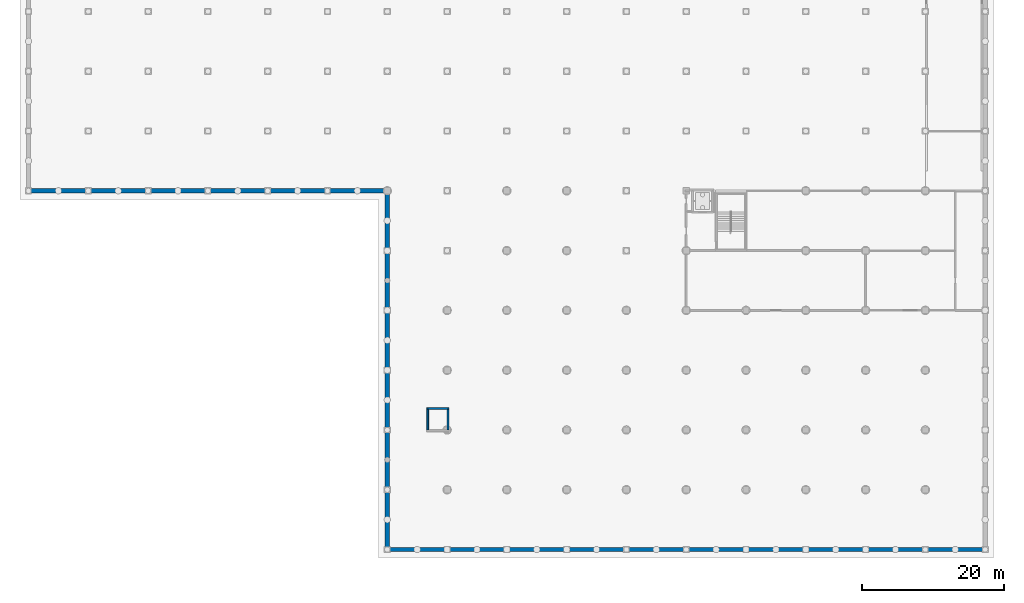
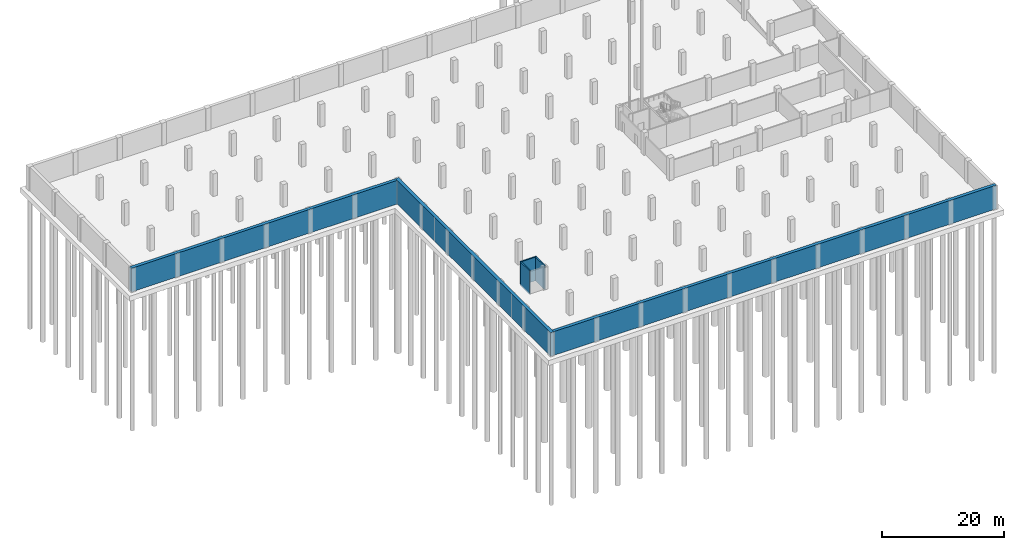
# One storey, part 4 of 26: 6 walls.
"""IFC4 building model written with IfcOpenShell, lengths in metres."""

from ifc_helpers import new_model, si_unit, direction, frame, frame_2d, origin, place, context, subcontext, project, spatial, rectangle, extrude, material, layer, layer_set, type_object, element, save


model = new_model("IFC4")

# Units and contexts
model_context = context("Model", 3, precision=1e-05, world=origin(), true_north=direction((0.0, 1.0)))
body_context = subcontext(model_context, "Body", "Model", "MODEL_VIEW")
ifc_project = project(units=[si_unit("LENGTHUNIT", "METRE"), si_unit("AREAUNIT", "SQUARE_METRE"), si_unit("VOLUMEUNIT", "CUBIC_METRE"), si_unit("PLANEANGLEUNIT", "RADIAN"), si_unit("MASSUNIT", "GRAM", prefix="KILO")], contexts=[model_context])

# Site, building, storey
site_placement = place(None, origin())
site = spatial("IfcSite", under=ifc_project, at=site_placement, CompositionType="ELEMENT")
building_placement = place(site_placement, origin())
building = spatial("IfcBuilding", under=site, at=building_placement, Name="Rulbaag Community and Learning Centre", CompositionType="ELEMENT")
storey_placement = place(building_placement, frame((0.0, 0.0, -9.60009765625)))
storey = spatial("IfcBuildingStorey", under=building, at=storey_placement, Name="B2", CompositionType="ELEMENT", Elevation=-9.60009765625)

# Walls
ifc_material = material(Name="Concrete M40", Category="concrete")
ifc_layer_1 = layer(ifc_material, 0.25)
ifc_layer_set_1 = layer_set([ifc_layer_1], Name="W8 Lift shaft wall 250 Concrete M40")
wall_type_1 = type_object("IfcWallType", Name="W8 Lift shaft wall 250 Concrete M40", PredefinedType="SHEAR", material=ifc_layer_set_1)
wall_1_placement = place(storey_placement, frame((89.550048828125, 19.824951171875, -0.25), z_axis=(0.0, 0.0, 1.0), x_axis=(1.0, 0.0, 0.0)))
element("IfcWall", 1, at=wall_1_placement, inside=storey, type_object=wall_type_1, Name="WL-LH2-N-B2", PredefinedType="SHEAR", context=body_context, shape_type="SweptSolid", body=[
    extrude(rectangle(XDim=3.099853515625, YDim=0.25, at=frame_2d((1.5498046875, 0.0))), origin(), (0.0, 0.0, 1.0), 4.75),
])
for number, where, z_axis, x_axis, name in (
    (2, (89.675048828125, 16.800048828125, -0.25), (0.0, 0.0, 1.0), (0.0, 1.0, 0.0), "WL-LH2-W-B2"),
    (3, (92.52490234375, 16.800048828125, -0.25), (0.0, 0.0, 1.0), (0.0, 1.0, 0.0), "WL-LH2-E-B2"),
):
    element("IfcWall", number, at=place(storey_placement, frame(where, z_axis=z_axis, x_axis=x_axis)), inside=storey, type_object=wall_type_1, Name=name, PredefinedType="SHEAR", context=body_context, shape_type="SweptSolid", body=[
        extrude(rectangle(XDim=2.89990234375, YDim=0.25, at=frame_2d((1.449951171875, 0.0))), origin(), (0.0, 0.0, 1.0), 4.75),
    ])
ifc_layer_2 = layer(ifc_material, 0.60009765625)
ifc_layer_set_2 = layer_set([ifc_layer_2], Name="W9 Retaining wall 600 Concrete M40")
wall_type_2 = type_object("IfcWallType", Name="W9 Retaining wall 600 Concrete M40", PredefinedType="SOLIDWALL", material=ifc_layer_set_2)
wall_2_placement = place(storey_placement, frame((83.699951171875, 0.0, -0.25), z_axis=(0.0, 0.0, 1.0), x_axis=(1.0, 0.0, 0.0)))
element("IfcWall", 4, at=wall_2_placement, inside=storey, type_object=wall_type_2, Name="WL-RET-1-B2", PredefinedType="SOLIDWALL", context=body_context, shape_type="SweptSolid", body=[
    extrude(rectangle(XDim=84.60009765625, YDim=0.60009765625, at=frame_2d((42.300048828125, 0.0))), origin(), (0.0, 0.0, 1.0), 4.75),
])
for number, where, z_axis, x_axis, name in (
    (5, (33.300048828125, 50.39990234375, -0.25), (0.0, 0.0, 1.0), (1.0, 0.0, 0.0), "WL-RET-7-B2"),
    (6, (84.0, 50.699951171875, -0.25), (0.0, 0.0, 1.0), (0.0, -1.0, 0.0), "WL-RET-8-B2"),
):
    element("IfcWall", number, at=place(storey_placement, frame(where, z_axis=z_axis, x_axis=x_axis)), inside=storey, type_object=wall_type_2, Name=name, PredefinedType="SOLIDWALL", context=body_context, shape_type="SweptSolid", body=[
        extrude(rectangle(XDim=51.0, YDim=0.60009765625, at=frame_2d((25.5, 0.0))), origin(), (0.0, 0.0, 1.0), 4.75),
    ])

save(model, "model.ifc")
